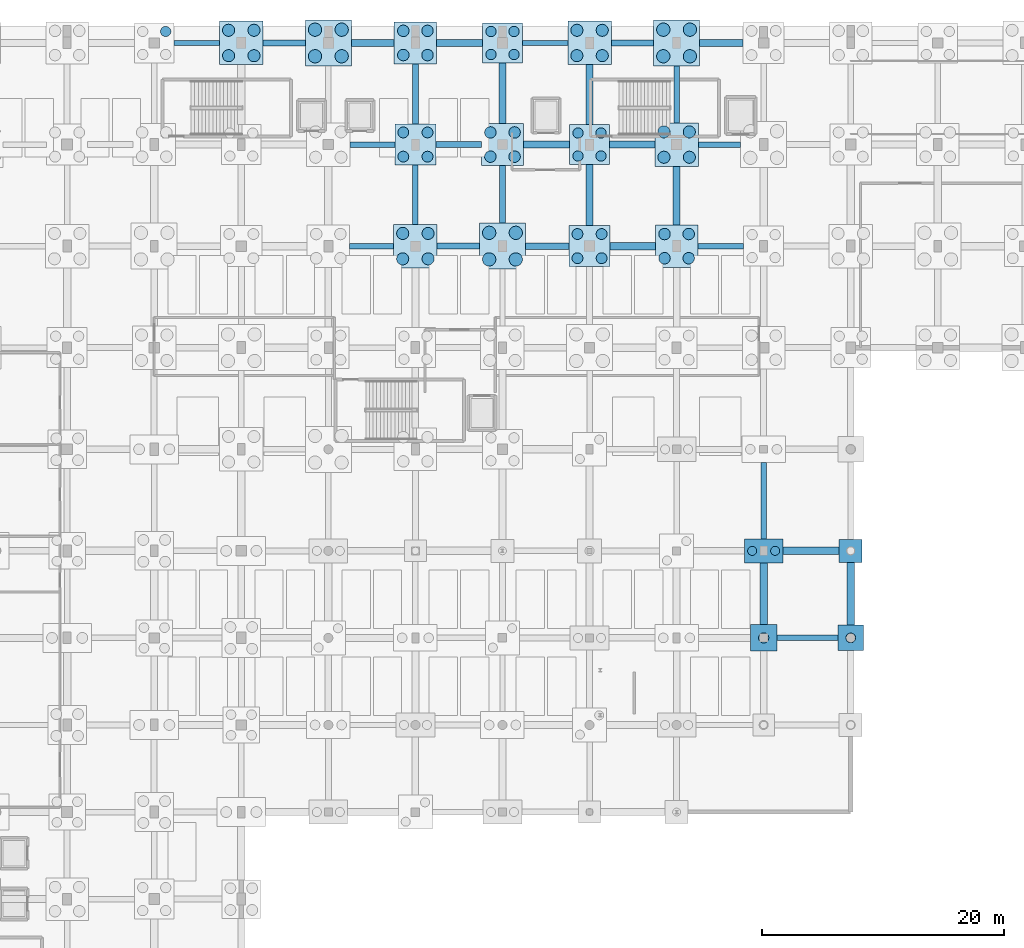
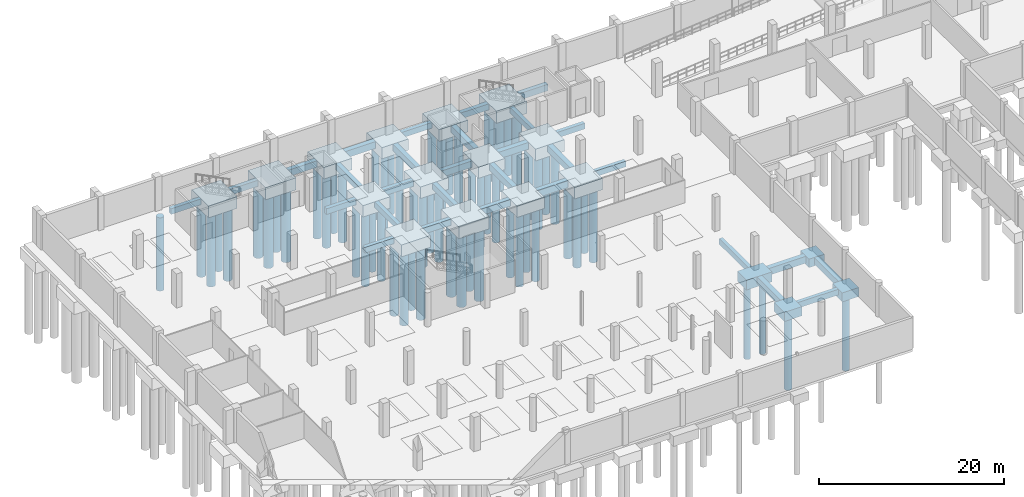
# One storey, part 9 of 35: 61 piles, 48 footings.
"""IFC4 building model written with IfcOpenShell, lengths in metres."""

from ifc_helpers import new_model, si_unit, direction, frame, origin, origin_2d, place, context, subcontext, project, spatial, rectangle, circle, extrude, material, material_profile, profile_set, type_object, element, save


model = new_model("IFC4")

# Units and contexts
model_context = context("Model", 3, precision=1e-05, world=origin(), true_north=direction((0.0, 1.0)))
body_context = subcontext(model_context, "Body", "Model", "MODEL_VIEW")
ifc_project = project(units=[si_unit("LENGTHUNIT", "METRE"), si_unit("AREAUNIT", "SQUARE_METRE"), si_unit("VOLUMEUNIT", "CUBIC_METRE"), si_unit("PLANEANGLEUNIT", "RADIAN"), si_unit("MASSUNIT", "GRAM", prefix="KILO")], contexts=[model_context])

# Site, building, storey
site_placement = place(None, origin())
site = spatial("IfcSite", under=ifc_project, at=site_placement, CompositionType="ELEMENT")
building_placement = place(site_placement, origin())
building = spatial("IfcBuilding", under=site, at=building_placement, Name="Kalluvel Institute of Natural Sciences", CompositionType="ELEMENT")
storey_placement = place(building_placement, frame((0.0, 0.0, -4.5)))
storey = spatial("IfcBuildingStorey", under=building, at=storey_placement, Name="B1", CompositionType="ELEMENT", Elevation=-4.5)

# Footings
ifc_material = material(Name="Concrete M40", Category="concrete")
footing_type_1 = type_object("IfcFootingType", Name="FB-450x750", PredefinedType="FOOTING_BEAM", material=ifc_material)
footing_1_placement = place(storey_placement, frame((82.425048828125, 78.800048828125, -1.199951171875), z_axis=(0.0, 0.0, 1.0), x_axis=(1.0, 0.0, 0.0)))
element("IfcFooting", 1, at=footing_1_placement, inside=storey, type_object=footing_type_1, Name="Foundation tie beam GB-X-088", PredefinedType="FOOTING_BEAM", context=body_context, shape_type="SweptSolid", body=[
    extrude(rectangle(XDim=5.050048828125, YDim=0.449951171875, at=origin_2d()), origin(), (0.0, 0.0, 1.0), 0.75),
])
footing_2_placement = place(storey_placement, frame((46.375, 111.199951171875, -1.199951171875), z_axis=(0.0, 0.0, 1.0), x_axis=(1.0, 0.0, 0.0)))
element("IfcFooting", 2, at=footing_2_placement, inside=storey, type_object=footing_type_1, Name="Foundation tie beam GB-X-140", PredefinedType="FOOTING_BEAM", context=body_context, shape_type="SweptSolid", body=[
    extrude(rectangle(XDim=3.64990234375, YDim=0.449951171875, at=origin_2d()), origin(), (0.0, 0.0, 1.0), 0.75),
])
footing_3_placement = place(storey_placement, frame((75.25, 111.199951171875, -1.199951171875), z_axis=(0.0, 0.0, 1.0), x_axis=(1.0, 0.0, 0.0)))
element("IfcFooting", 3, at=footing_3_placement, inside=storey, type_object=footing_type_1, Name="Foundation tie beam GB-X-144", PredefinedType="FOOTING_BEAM", context=body_context, shape_type="SweptSolid", body=[
    extrude(rectangle(XDim=3.800048828125, YDim=0.449951171875, at=origin_2d()), origin(), (0.0, 0.0, 1.0), 0.75),
])
footing_4_placement = place(storey_placement, frame((46.449951171875, 119.60009765625, -1.199951171875), z_axis=(0.0, 0.0, 1.0), x_axis=(1.0, 0.0, 0.0)))
element("IfcFooting", 4, at=footing_4_placement, inside=storey, type_object=footing_type_1, Name="Foundation tie beam GB-X-164", PredefinedType="FOOTING_BEAM", context=body_context, shape_type="SweptSolid", body=[
    extrude(rectangle(XDim=3.699951171875, YDim=0.449951171875, at=origin_2d()), origin(), (0.0, 0.0, 1.0), 0.75),
])
footing_5_placement = place(storey_placement, frame((75.14990234375, 119.60009765625, -1.199951171875), z_axis=(0.0, 0.0, 1.0), x_axis=(1.0, 0.0, 0.0)))
element("IfcFooting", 5, at=footing_5_placement, inside=storey, type_object=footing_type_1, Name="Foundation tie beam GB-X-168", PredefinedType="FOOTING_BEAM", context=body_context, shape_type="SweptSolid", body=[
    extrude(rectangle(XDim=3.5, YDim=0.449951171875, at=origin_2d()), origin(), (0.0, 0.0, 1.0), 0.75),
])
for number, where, z_axis, x_axis, name in (
    (6, (31.925048828125, 128.0, -1.199951171875), (0.0, 0.0, 1.0), (1.0, 0.0, 0.0), "Foundation tie beam GB-X-184"),
    (7, (60.72509765625, 128.0, -1.199951171875), (0.0, 0.0, 1.0), (1.0, 0.0, 0.0), "Foundation tie beam GB-X-188"),
):
    element("IfcFooting", number, at=place(storey_placement, frame(where, z_axis=z_axis, x_axis=x_axis)), inside=storey, type_object=footing_type_1, Name=name, PredefinedType="FOOTING_BEAM", context=body_context, shape_type="SweptSolid", body=[
        extrude(rectangle(XDim=3.75, YDim=0.449951171875, at=origin_2d()), origin(), (0.0, 0.0, 1.0), 0.75),
    ])
footing_6_placement = place(storey_placement, frame((50.0, 115.449951171875, -1.199951171875), z_axis=(0.0, 0.0, 1.0), x_axis=(1.0, 0.0, 0.0)))
element("IfcFooting", 8, at=footing_6_placement, inside=storey, type_object=footing_type_1, Name="Foundation tie beam GB-Y-272", PredefinedType="FOOTING_BEAM", context=body_context, shape_type="SweptSolid", body=[
    extrude(rectangle(XDim=0.449951171875, YDim=4.89990234375, at=origin_2d()), origin(), (0.0, 0.0, 1.0), 0.75),
])
footing_7_placement = place(storey_placement, frame((71.60009765625, 123.75, -1.199951171875), z_axis=(0.0, 0.0, 1.0), x_axis=(1.0, 0.0, 0.0)))
element("IfcFooting", 9, at=footing_7_placement, inside=storey, type_object=footing_type_1, Name="Foundation tie beam GB-Y-300", PredefinedType="FOOTING_BEAM", context=body_context, shape_type="SweptSolid", body=[
    extrude(rectangle(XDim=0.449951171875, YDim=4.699951171875, at=origin_2d()), origin(), (0.0, 0.0, 1.0), 0.75),
])
footing_8_placement = place(storey_placement, frame((78.800048828125, 90.14990234375, -1.199951171875), z_axis=(0.0, 0.0, 1.0), x_axis=(1.0, 0.0, 0.0)))
element("IfcFooting", 10, at=footing_8_placement, inside=storey, type_object=footing_type_1, Name="Foundation tie beam GB-Y-304", PredefinedType="FOOTING_BEAM", context=body_context, shape_type="SweptSolid", body=[
    extrude(rectangle(XDim=0.449951171875, YDim=6.300048828125, at=origin_2d()), origin(), (0.0, 0.0, 1.0), 0.75),
])
footing_type_2 = type_object("IfcFootingType", Name="FB-500x800", PredefinedType="FOOTING_BEAM", material=ifc_material)
footing_9_placement = place(storey_placement, frame((53.550048828125, 111.199951171875, -1.25), z_axis=(0.0, 0.0, 1.0), x_axis=(1.0, 0.0, 0.0)))
element("IfcFooting", 11, at=footing_9_placement, inside=storey, type_object=footing_type_2, Name="Foundation tie beam GB-X-141", PredefinedType="FOOTING_BEAM", context=body_context, shape_type="SweptSolid", body=[
    extrude(rectangle(XDim=3.5, YDim=0.5, at=origin_2d()), origin(), (0.0, 0.0, 1.0), 0.800048828125),
])
footing_10_placement = place(storey_placement, frame((53.574951171875, 119.60009765625, -1.25), z_axis=(0.0, 0.0, 1.0), x_axis=(1.0, 0.0, 0.0)))
element("IfcFooting", 12, at=footing_10_placement, inside=storey, type_object=footing_type_2, Name="Foundation tie beam GB-X-165", PredefinedType="FOOTING_BEAM", context=body_context, shape_type="SweptSolid", body=[
    extrude(rectangle(XDim=3.75, YDim=0.5, at=origin_2d()), origin(), (0.0, 0.0, 1.0), 0.800048828125),
])
for number, where, z_axis, x_axis, name in (
    (13, (39.14990234375, 128.0, -1.25), (0.0, 0.0, 1.0), (1.0, 0.0, 0.0), "Foundation tie beam GB-X-185"),
    (14, (67.949951171875, 128.0, -1.25), (0.0, 0.0, 1.0), (1.0, 0.0, 0.0), "Foundation tie beam GB-X-189"),
):
    element("IfcFooting", number, at=place(storey_placement, frame(where, z_axis=z_axis, x_axis=x_axis)), inside=storey, type_object=footing_type_2, Name=name, PredefinedType="FOOTING_BEAM", context=body_context, shape_type="SweptSolid", body=[
        extrude(rectangle(XDim=3.5, YDim=0.5, at=origin_2d()), origin(), (0.0, 0.0, 1.0), 0.800048828125),
    ])
footing_11_placement = place(storey_placement, frame((50.0, 123.77490234375, -1.25), z_axis=(0.0, 0.0, 1.0), x_axis=(1.0, 0.0, 0.0)))
element("IfcFooting", 15, at=footing_11_placement, inside=storey, type_object=footing_type_2, Name="Foundation tie beam GB-Y-273", PredefinedType="FOOTING_BEAM", context=body_context, shape_type="SweptSolid", body=[
    extrude(rectangle(XDim=0.5, YDim=4.949951171875, at=origin_2d()), origin(), (0.0, 0.0, 1.0), 0.800048828125),
])
footing_12_placement = place(storey_placement, frame((57.199951171875, 115.47509765625, -1.25), z_axis=(0.0, 0.0, 1.0), x_axis=(1.0, 0.0, 0.0)))
element("IfcFooting", 16, at=footing_12_placement, inside=storey, type_object=footing_type_2, Name="Foundation tie beam GB-Y-281", PredefinedType="FOOTING_BEAM", context=body_context, shape_type="SweptSolid", body=[
    extrude(rectangle(XDim=0.5, YDim=4.75, at=origin_2d()), origin(), (0.0, 0.0, 1.0), 0.800048828125),
])
footing_type_3 = type_object("IfcFootingType", Name="FB-550x850", PredefinedType="FOOTING_BEAM", material=ifc_material)
footing_13_placement = place(storey_placement, frame((60.89990234375, 111.199951171875, -1.300048828125), z_axis=(0.0, 0.0, 1.0), x_axis=(1.0, 0.0, 0.0)))
element("IfcFooting", 17, at=footing_13_placement, inside=storey, type_object=footing_type_3, Name="Foundation tie beam GB-X-142", PredefinedType="FOOTING_BEAM", context=body_context, shape_type="SweptSolid", body=[
    extrude(rectangle(XDim=3.60009765625, YDim=0.550048828125, at=origin_2d()), origin(), (0.0, 0.0, 1.0), 0.85009765625),
])
footing_14_placement = place(storey_placement, frame((60.85009765625, 119.60009765625, -1.300048828125), z_axis=(0.0, 0.0, 1.0), x_axis=(1.0, 0.0, 0.0)))
element("IfcFooting", 18, at=footing_14_placement, inside=storey, type_object=footing_type_3, Name="Foundation tie beam GB-X-166", PredefinedType="FOOTING_BEAM", context=body_context, shape_type="SweptSolid", body=[
    extrude(rectangle(XDim=3.800048828125, YDim=0.550048828125, at=origin_2d()), origin(), (0.0, 0.0, 1.0), 0.85009765625),
])
footing_15_placement = place(storey_placement, frame((46.47509765625, 128.0, -1.300048828125), z_axis=(0.0, 0.0, 1.0), x_axis=(1.0, 0.0, 0.0)))
element("IfcFooting", 19, at=footing_15_placement, inside=storey, type_object=footing_type_3, Name="Foundation tie beam GB-X-186", PredefinedType="FOOTING_BEAM", context=body_context, shape_type="SweptSolid", body=[
    extrude(rectangle(XDim=3.550048828125, YDim=0.550048828125, at=origin_2d()), origin(), (0.0, 0.0, 1.0), 0.85009765625),
])
footing_16_placement = place(storey_placement, frame((75.300048828125, 128.0, -1.300048828125), z_axis=(0.0, 0.0, 1.0), x_axis=(1.0, 0.0, 0.0)))
element("IfcFooting", 20, at=footing_16_placement, inside=storey, type_object=footing_type_3, Name="Foundation tie beam GB-X-190", PredefinedType="FOOTING_BEAM", context=body_context, shape_type="SweptSolid", body=[
    extrude(rectangle(XDim=3.60009765625, YDim=0.550048828125, at=origin_2d()), origin(), (0.0, 0.0, 1.0), 0.85009765625),
])
footing_17_placement = place(storey_placement, frame((57.199951171875, 123.85009765625, -1.300048828125), z_axis=(0.0, 0.0, 1.0), x_axis=(1.0, 0.0, 0.0)))
element("IfcFooting", 21, at=footing_17_placement, inside=storey, type_object=footing_type_3, Name="Foundation tie beam GB-Y-282", PredefinedType="FOOTING_BEAM", context=body_context, shape_type="SweptSolid", body=[
    extrude(rectangle(XDim=0.550048828125, YDim=5.0, at=origin_2d()), origin(), (0.0, 0.0, 1.0), 0.85009765625),
])
footing_18_placement = place(storey_placement, frame((64.39990234375, 115.425048828125, -1.300048828125), z_axis=(0.0, 0.0, 1.0), x_axis=(1.0, 0.0, 0.0)))
element("IfcFooting", 22, at=footing_18_placement, inside=storey, type_object=footing_type_3, Name="Foundation tie beam GB-Y-290", PredefinedType="FOOTING_BEAM", context=body_context, shape_type="SweptSolid", body=[
    extrude(rectangle(XDim=0.550048828125, YDim=5.050048828125, at=origin_2d()), origin(), (0.0, 0.0, 1.0), 0.85009765625),
])
footing_type_4 = type_object("IfcFootingType", Name="FB-600x900", PredefinedType="FOOTING_BEAM", material=ifc_material)
footing_19_placement = place(storey_placement, frame((82.72509765625, 86.0, -1.349853515625), z_axis=(0.0, 0.0, 1.0), x_axis=(1.0, 0.0, 0.0)))
element("IfcFooting", 23, at=footing_19_placement, inside=storey, type_object=footing_type_4, Name="Foundation tie beam GB-X-099", PredefinedType="FOOTING_BEAM", context=body_context, shape_type="SweptSolid", body=[
    extrude(rectangle(XDim=4.64990234375, YDim=0.60009765625, at=origin_2d()), origin(), (0.0, 0.0, 1.0), 0.89990234375),
])
for number, where, z_axis, x_axis, name in (
    (24, (67.97509765625, 111.199951171875, -1.349853515625), (0.0, 0.0, 1.0), (1.0, 0.0, 0.0), "Foundation tie beam GB-X-143"),
    (25, (67.925048828125, 119.60009765625, -1.349853515625), (0.0, 0.0, 1.0), (1.0, 0.0, 0.0), "Foundation tie beam GB-X-167"),
):
    element("IfcFooting", number, at=place(storey_placement, frame(where, z_axis=z_axis, x_axis=x_axis)), inside=storey, type_object=footing_type_4, Name=name, PredefinedType="FOOTING_BEAM", context=body_context, shape_type="SweptSolid", body=[
        extrude(rectangle(XDim=3.75, YDim=0.60009765625, at=origin_2d()), origin(), (0.0, 0.0, 1.0), 0.89990234375),
    ])
footing_20_placement = place(storey_placement, frame((53.64990234375, 128.0, -1.349853515625), z_axis=(0.0, 0.0, 1.0), x_axis=(1.0, 0.0, 0.0)))
element("IfcFooting", 26, at=footing_20_placement, inside=storey, type_object=footing_type_4, Name="Foundation tie beam GB-X-187", PredefinedType="FOOTING_BEAM", context=body_context, shape_type="SweptSolid", body=[
    extrude(rectangle(XDim=3.800048828125, YDim=0.60009765625, at=origin_2d()), origin(), (0.0, 0.0, 1.0), 0.89990234375),
])
footing_21_placement = place(storey_placement, frame((64.39990234375, 123.72509765625, -1.349853515625), z_axis=(0.0, 0.0, 1.0), x_axis=(1.0, 0.0, 0.0)))
element("IfcFooting", 27, at=footing_21_placement, inside=storey, type_object=footing_type_4, Name="Foundation tie beam GB-Y-291", PredefinedType="FOOTING_BEAM", context=body_context, shape_type="SweptSolid", body=[
    extrude(rectangle(XDim=0.60009765625, YDim=4.949951171875, at=origin_2d()), origin(), (0.0, 0.0, 1.0), 0.89990234375),
])
footing_22_placement = place(storey_placement, frame((71.60009765625, 115.375, -1.349853515625), z_axis=(0.0, 0.0, 1.0), x_axis=(1.0, 0.0, 0.0)))
element("IfcFooting", 28, at=footing_22_placement, inside=storey, type_object=footing_type_4, Name="Foundation tie beam GB-Y-299", PredefinedType="FOOTING_BEAM", context=body_context, shape_type="SweptSolid", body=[
    extrude(rectangle(XDim=0.60009765625, YDim=4.85009765625, at=origin_2d()), origin(), (0.0, 0.0, 1.0), 0.89990234375),
])
footing_23_placement = place(storey_placement, frame((78.800048828125, 82.449951171875, -1.349853515625), z_axis=(0.0, 0.0, 1.0), x_axis=(1.0, 0.0, 0.0)))
element("IfcFooting", 29, at=footing_23_placement, inside=storey, type_object=footing_type_4, Name="Foundation tie beam GB-Y-303", PredefinedType="FOOTING_BEAM", context=body_context, shape_type="SweptSolid", body=[
    extrude(rectangle(XDim=0.60009765625, YDim=5.10009765625, at=origin_2d()), origin(), (0.0, 0.0, 1.0), 0.89990234375),
])
footing_24_placement = place(storey_placement, frame((86.0, 82.449951171875, -1.349853515625), z_axis=(0.0, 0.0, 1.0), x_axis=(1.0, 0.0, 0.0)))
element("IfcFooting", 30, at=footing_24_placement, inside=storey, type_object=footing_type_4, Name="Foundation tie beam GB-Y-311", PredefinedType="FOOTING_BEAM", context=body_context, shape_type="SweptSolid", body=[
    extrude(rectangle(XDim=0.60009765625, YDim=5.199951171875, at=origin_2d()), origin(), (0.0, 0.0, 1.0), 0.89990234375),
])
footing_type_5 = type_object("IfcFootingType", Name="PC-1900x1900x1120", PredefinedType="PILE_CAP", material=ifc_material)
footing_25_placement = place(storey_placement, frame((86.0, 86.0, -1.570068359375), z_axis=(0.0, 0.0, 1.0), x_axis=(1.0, 0.0, 0.0)))
element("IfcFooting", 31, at=footing_25_placement, inside=storey, type_object=footing_type_5, Name="Pile cap CAP-134", PredefinedType="PILE_CAP", context=body_context, shape_type="SweptSolid", body=[
    extrude(rectangle(XDim=1.89990234375, YDim=1.89990234375, at=origin_2d()), origin(), (0.0, 0.0, 1.0), 1.1201171875),
])
footing_type_6 = type_object("IfcFootingType", Name="PC-2100x2100x1180", PredefinedType="PILE_CAP", material=ifc_material)
footing_26_placement = place(storey_placement, frame((86.0, 78.800048828125, -1.6298828125), z_axis=(0.0, 0.0, 1.0), x_axis=(1.0, 0.0, 0.0)))
element("IfcFooting", 32, at=footing_26_placement, inside=storey, type_object=footing_type_6, Name="Pile cap CAP-133", PredefinedType="PILE_CAP", context=body_context, shape_type="SweptSolid", body=[
    extrude(rectangle(XDim=2.10009765625, YDim=2.10009765625, at=origin_2d()), origin(), (0.0, 0.0, 1.0), 1.179931640625),
])
footing_type_7 = type_object("IfcFootingType", Name="PC-2200x2200x1200", PredefinedType="PILE_CAP", material=ifc_material)
footing_27_placement = place(storey_placement, frame((78.800048828125, 78.800048828125, -1.64990234375), z_axis=(0.0, 0.0, 1.0), x_axis=(1.0, 0.0, 0.0)))
element("IfcFooting", 33, at=footing_27_placement, inside=storey, type_object=footing_type_7, Name="Pile cap CAP-123", PredefinedType="PILE_CAP", context=body_context, shape_type="SweptSolid", body=[
    extrude(rectangle(XDim=2.199951171875, YDim=2.199951171875, at=origin_2d()), origin(), (0.0, 0.0, 1.0), 1.199951171875),
])
footing_type_8 = type_object("IfcFootingType", Name="PC-3200x2000x1300", PredefinedType="PILE_CAP", material=ifc_material)
footing_28_placement = place(storey_placement, frame((78.800048828125, 86.0, -1.75), z_axis=(0.0, 0.0, 1.0), x_axis=(1.0, 0.0, 0.0)))
element("IfcFooting", 34, at=footing_28_placement, inside=storey, type_object=footing_type_8, Name="Pile cap CAP-124", PredefinedType="PILE_CAP", context=body_context, shape_type="SweptSolid", body=[
    extrude(rectangle(XDim=3.199951171875, YDim=2.0, at=origin_2d()), origin(), (0.0, 0.0, 1.0), 1.300048828125),
])
footing_type_9 = type_object("IfcFootingType", Name="PC-3300x3300x1480", PredefinedType="PILE_CAP", material=ifc_material)
for number, where, z_axis, x_axis, name in (
    (35, (57.199951171875, 128.0, -1.929931640625), (0.0, 0.0, 1.0), (1.0, 0.0, 0.0), "Pile cap CAP-097"),
    (36, (64.39990234375, 119.60009765625, -1.929931640625), (0.0, 0.0, 1.0), (1.0, 0.0, 0.0), "Pile cap CAP-107"),
):
    element("IfcFooting", number, at=place(storey_placement, frame(where, z_axis=z_axis, x_axis=x_axis)), inside=storey, type_object=footing_type_9, Name=name, PredefinedType="PILE_CAP", context=body_context, shape_type="SweptSolid", body=[
        extrude(rectangle(XDim=3.300048828125, YDim=3.300048828125, at=origin_2d()), origin(), (0.0, 0.0, 1.0), 1.47998046875),
    ])
footing_type_10 = type_object("IfcFootingType", Name="PC-3400x3400x1500", PredefinedType="PILE_CAP", material=ifc_material)
for number, where, z_axis, x_axis, name in (
    (37, (50.0, 119.60009765625, -1.949951171875), (0.0, 0.0, 1.0), (1.0, 0.0, 0.0), "Pile cap CAP-085"),
    (38, (64.39990234375, 111.199951171875, -1.949951171875), (0.0, 0.0, 1.0), (1.0, 0.0, 0.0), "Pile cap CAP-106"),
):
    element("IfcFooting", number, at=place(storey_placement, frame(where, z_axis=z_axis, x_axis=x_axis)), inside=storey, type_object=footing_type_10, Name=name, PredefinedType="PILE_CAP", context=body_context, shape_type="SweptSolid", body=[
        extrude(rectangle(XDim=3.39990234375, YDim=3.39990234375, at=origin_2d()), origin(), (0.0, 0.0, 1.0), 1.5),
    ])
footing_type_11 = type_object("IfcFootingType", Name="PC-3500x3500x1520", PredefinedType="PILE_CAP", material=ifc_material)
for number, where, z_axis, x_axis, name in (
    (39, (50.0, 128.0, -1.969970703125), (0.0, 0.0, 1.0), (1.0, 0.0, 0.0), "Pile cap CAP-086"),
    (40, (57.199951171875, 119.60009765625, -1.969970703125), (0.0, 0.0, 1.0), (1.0, 0.0, 0.0), "Pile cap CAP-096"),
    (41, (71.60009765625, 111.199951171875, -1.969970703125), (0.0, 0.0, 1.0), (1.0, 0.0, 0.0), "Pile cap CAP-117"),
):
    element("IfcFooting", number, at=place(storey_placement, frame(where, z_axis=z_axis, x_axis=x_axis)), inside=storey, type_object=footing_type_11, Name=name, PredefinedType="PILE_CAP", context=body_context, shape_type="SweptSolid", body=[
        extrude(rectangle(XDim=3.5, YDim=3.5, at=origin_2d()), origin(), (0.0, 0.0, 1.0), 1.52001953125),
    ])
footing_type_12 = type_object("IfcFootingType", Name="PC-3600x3600x1550", PredefinedType="PILE_CAP", material=ifc_material)
for number, where, z_axis, x_axis, name in (
    (42, (35.60009765625, 128.0, -2.0), (0.0, 0.0, 1.0), (1.0, 0.0, 0.0), "Pile cap CAP-064"),
    (43, (50.0, 111.199951171875, -2.0), (0.0, 0.0, 1.0), (1.0, 0.0, 0.0), "Pile cap CAP-084"),
    (44, (64.39990234375, 128.0, -2.0), (0.0, 0.0, 1.0), (1.0, 0.0, 0.0), "Pile cap CAP-108"),
    (45, (71.60009765625, 119.60009765625, -2.0), (0.0, 0.0, 1.0), (1.0, 0.0, 0.0), "Pile cap CAP-118"),
):
    element("IfcFooting", number, at=place(storey_placement, frame(where, z_axis=z_axis, x_axis=x_axis)), inside=storey, type_object=footing_type_12, Name=name, PredefinedType="PILE_CAP", context=body_context, shape_type="SweptSolid", body=[
        extrude(rectangle(XDim=3.60009765625, YDim=3.60009765625, at=origin_2d()), origin(), (0.0, 0.0, 1.0), 1.550048828125),
    ])
footing_type_13 = type_object("IfcFootingType", Name="PC-3800x3800x1600", PredefinedType="PILE_CAP", material=ifc_material)
for number, where, z_axis, x_axis, name in (
    (46, (42.800048828125, 128.0, -2.050048828125), (0.0, 0.0, 1.0), (1.0, 0.0, 0.0), "Pile cap CAP-075"),
    (47, (57.199951171875, 111.199951171875, -2.050048828125), (0.0, 0.0, 1.0), (1.0, 0.0, 0.0), "Pile cap CAP-095"),
    (48, (71.60009765625, 128.0, -2.050048828125), (0.0, 0.0, 1.0), (1.0, 0.0, 0.0), "Pile cap CAP-119"),
):
    element("IfcFooting", number, at=place(storey_placement, frame(where, z_axis=z_axis, x_axis=x_axis)), inside=storey, type_object=footing_type_13, Name=name, PredefinedType="PILE_CAP", context=body_context, shape_type="SweptSolid", body=[
        extrude(rectangle(XDim=3.800048828125, YDim=3.800048828125, at=origin_2d()), origin(), (0.0, 0.0, 1.0), 1.60009765625),
    ])

# Piles
ifc_material_profile_1 = material_profile(ifc_material, circle(Radius=0.5, at=origin_2d()), Name="PILE D1000")
ifc_profile_set_1 = profile_set([ifc_material_profile_1], Name="Concrete M40")
pile_type_1 = type_object("IfcPileType", Name="PILE-D1000", PredefinedType="BORED", material=ifc_profile_set_1)
for number, where, z_axis, x_axis, name in (
    (49, (34.550048828125, 126.949951171875, -1.8798828125), (0.0, 0.0, -1.0), (1.0, 0.0, 0.0), "Bored rock-socketed pile PILE-X3455-Y12695"),
    (50, (36.64990234375, 126.949951171875, -1.8798828125), (0.0, 0.0, -1.0), (1.0, 0.0, 0.0), "Bored rock-socketed pile PILE-X3665-Y12695"),
    (51, (34.550048828125, 129.050048828125, -1.8798828125), (0.0, 0.0, -1.0), (1.0, 0.0, 0.0), "Bored rock-socketed pile PILE-X3455-Y12905"),
    (52, (36.64990234375, 129.050048828125, -1.8798828125), (0.0, 0.0, -1.0), (1.0, 0.0, 0.0), "Bored rock-socketed pile PILE-X3665-Y12905"),
    (53, (48.949951171875, 110.14990234375, -1.8798828125), (0.0, 0.0, -1.0), (1.0, 0.0, 0.0), "Bored rock-socketed pile PILE-X4895-Y11015"),
    (54, (51.050048828125, 110.14990234375, -1.8798828125), (0.0, 0.0, -1.0), (1.0, 0.0, 0.0), "Bored rock-socketed pile PILE-X5105-Y11015"),
    (55, (48.949951171875, 112.25, -1.8798828125), (0.0, 0.0, -1.0), (1.0, 0.0, 0.0), "Bored rock-socketed pile PILE-X4895-Y11225"),
    (56, (51.050048828125, 112.25, -1.8798828125), (0.0, 0.0, -1.0), (1.0, 0.0, 0.0), "Bored rock-socketed pile PILE-X5105-Y11225"),
    (57, (63.35009765625, 126.949951171875, -1.8798828125), (0.0, 0.0, -1.0), (1.0, 0.0, 0.0), "Bored rock-socketed pile PILE-X6335-Y12695"),
    (58, (65.449951171875, 126.949951171875, -1.8798828125), (0.0, 0.0, -1.0), (1.0, 0.0, 0.0), "Bored rock-socketed pile PILE-X6545-Y12695"),
    (59, (63.35009765625, 129.050048828125, -1.8798828125), (0.0, 0.0, -1.0), (1.0, 0.0, 0.0), "Bored rock-socketed pile PILE-X6335-Y12905"),
    (60, (65.449951171875, 129.050048828125, -1.8798828125), (0.0, 0.0, -1.0), (1.0, 0.0, 0.0), "Bored rock-socketed pile PILE-X6545-Y12905"),
    (61, (70.550048828125, 118.550048828125, -1.8798828125), (0.0, 0.0, -1.0), (1.0, 0.0, 0.0), "Bored rock-socketed pile PILE-X7055-Y11855"),
    (62, (72.64990234375, 118.550048828125, -1.8798828125), (0.0, 0.0, -1.0), (1.0, 0.0, 0.0), "Bored rock-socketed pile PILE-X7265-Y11855"),
    (63, (70.550048828125, 120.64990234375, -1.8798828125), (0.0, 0.0, -1.0), (1.0, 0.0, 0.0), "Bored rock-socketed pile PILE-X7055-Y12065"),
    (64, (72.64990234375, 120.64990234375, -1.8798828125), (0.0, 0.0, -1.0), (1.0, 0.0, 0.0), "Bored rock-socketed pile PILE-X7265-Y12065"),
):
    element("IfcPile", number, at=place(storey_placement, frame(where, z_axis=z_axis, x_axis=x_axis)), inside=storey, type_object=pile_type_1, Name=name, PredefinedType="BORED", context=body_context, shape_type="SweptSolid", body=[
        extrude(circle(Radius=0.5, at=origin_2d()), origin(), (0.0, 0.0, 1.0), 9.6201171875),
    ])
ifc_material_profile_2 = material_profile(ifc_material, circle(Radius=0.550048828125, at=origin_2d()), Name="PILE D1100")
ifc_profile_set_2 = profile_set([ifc_material_profile_2], Name="Concrete M40")
pile_type_2 = type_object("IfcPileType", Name="PILE-D1100", PredefinedType="BORED", material=ifc_profile_set_2)
for number, where, z_axis, x_axis, name in (
    (65, (41.699951171875, 126.89990234375, -1.929931640625), (0.0, 0.0, -1.0), (1.0, 0.0, 0.0), "Bored rock-socketed pile PILE-X4170-Y12690"),
    (66, (43.89990234375, 126.89990234375, -1.929931640625), (0.0, 0.0, -1.0), (1.0, 0.0, 0.0), "Bored rock-socketed pile PILE-X4390-Y12690"),
    (67, (41.699951171875, 129.10009765625, -1.929931640625), (0.0, 0.0, -1.0), (1.0, 0.0, 0.0), "Bored rock-socketed pile PILE-X4170-Y12910"),
    (68, (43.89990234375, 129.10009765625, -1.929931640625), (0.0, 0.0, -1.0), (1.0, 0.0, 0.0), "Bored rock-socketed pile PILE-X4390-Y12910"),
    (69, (56.10009765625, 110.10009765625, -1.929931640625), (0.0, 0.0, -1.0), (1.0, 0.0, 0.0), "Bored rock-socketed pile PILE-X5610-Y11010"),
    (70, (58.300048828125, 110.10009765625, -1.929931640625), (0.0, 0.0, -1.0), (1.0, 0.0, 0.0), "Bored rock-socketed pile PILE-X5830-Y11010"),
    (71, (56.10009765625, 112.300048828125, -1.929931640625), (0.0, 0.0, -1.0), (1.0, 0.0, 0.0), "Bored rock-socketed pile PILE-X5610-Y11230"),
    (72, (58.300048828125, 112.300048828125, -1.929931640625), (0.0, 0.0, -1.0), (1.0, 0.0, 0.0), "Bored rock-socketed pile PILE-X5830-Y11230"),
    (73, (70.5, 126.89990234375, -1.929931640625), (0.0, 0.0, -1.0), (1.0, 0.0, 0.0), "Bored rock-socketed pile PILE-X7050-Y12690"),
    (74, (72.699951171875, 126.89990234375, -1.929931640625), (0.0, 0.0, -1.0), (1.0, 0.0, 0.0), "Bored rock-socketed pile PILE-X7270-Y12690"),
    (75, (70.5, 129.10009765625, -1.929931640625), (0.0, 0.0, -1.0), (1.0, 0.0, 0.0), "Bored rock-socketed pile PILE-X7050-Y12910"),
    (76, (72.699951171875, 129.10009765625, -1.929931640625), (0.0, 0.0, -1.0), (1.0, 0.0, 0.0), "Bored rock-socketed pile PILE-X7270-Y12910"),
):
    element("IfcPile", number, at=place(storey_placement, frame(where, z_axis=z_axis, x_axis=x_axis)), inside=storey, type_object=pile_type_2, Name=name, PredefinedType="BORED", context=body_context, shape_type="SweptSolid", body=[
        extrude(circle(Radius=0.550048828125, at=origin_2d()), origin(), (0.0, 0.0, 1.0), 9.570068359375),
    ])
ifc_material_profile_3 = material_profile(ifc_material, circle(Radius=0.375, at=origin_2d()), Name="PILE D750")
ifc_profile_set_3 = profile_set([ifc_material_profile_3], Name="Concrete M40")
pile_type_3 = type_object("IfcPileType", Name="PILE-D750", PredefinedType="BORED", material=ifc_profile_set_3)
for number, where, z_axis, x_axis, name in (
    (77, (77.85009765625, 86.0, -1.6298828125), (0.0, 0.0, -1.0), (1.0, 0.0, 0.0), "Bored rock-socketed pile PILE-X7785-Y8600"),
    (78, (79.75, 86.0, -1.6298828125), (0.0, 0.0, -1.0), (1.0, 0.0, 0.0), "Bored rock-socketed pile PILE-X7975-Y8600"),
):
    element("IfcPile", number, at=place(storey_placement, frame(where, z_axis=z_axis, x_axis=x_axis)), inside=storey, type_object=pile_type_3, Name=name, PredefinedType="BORED", context=body_context, shape_type="SweptSolid", body=[
        extrude(circle(Radius=0.375, at=origin_2d()), origin(), (0.0, 0.0, 1.0), 9.8701171875),
    ])
ifc_material_profile_4 = material_profile(ifc_material, circle(Radius=0.39990234375, at=origin_2d()), Name="PILE D800")
ifc_profile_set_4 = profile_set([ifc_material_profile_4], Name="Concrete M40")
pile_type_4 = type_object("IfcPileType", Name="PILE-D800", PredefinedType="BORED", material=ifc_profile_set_4)
pile_1_placement = place(storey_placement, frame((86.0, 78.800048828125, -1.510009765625), z_axis=(0.0, 0.0, -1.0), x_axis=(1.0, 0.0, 0.0)))
element("IfcPile", 79, at=pile_1_placement, inside=storey, type_object=pile_type_4, Name="Bored rock-socketed pile PILE-X8600-Y7880", PredefinedType="BORED", context=body_context, shape_type="SweptSolid", body=[
    extrude(circle(Radius=0.39990234375, at=origin_2d()), origin(), (0.0, 0.0, 1.0), 9.989990234375),
])
ifc_material_profile_5 = material_profile(ifc_material, circle(Radius=0.425048828125, at=origin_2d()), Name="PILE D850")
ifc_profile_set_5 = profile_set([ifc_material_profile_5], Name="Concrete M40")
pile_type_5 = type_object("IfcPileType", Name="PILE-D850", PredefinedType="BORED", material=ifc_profile_set_5)
for number, where, z_axis, x_axis, name in (
    (80, (29.35009765625, 128.949951171875, -1.81005859375), (0.0, 0.0, -1.0), (1.0, 0.0, 0.0), "Bored rock-socketed pile PILE-X2935-Y12895"),
    (81, (56.25, 127.050048828125, -1.81005859375), (0.0, 0.0, -1.0), (1.0, 0.0, 0.0), "Bored rock-socketed pile PILE-X5625-Y12705"),
    (82, (58.14990234375, 127.050048828125, -1.81005859375), (0.0, 0.0, -1.0), (1.0, 0.0, 0.0), "Bored rock-socketed pile PILE-X5815-Y12705"),
    (83, (56.25, 128.949951171875, -1.81005859375), (0.0, 0.0, -1.0), (1.0, 0.0, 0.0), "Bored rock-socketed pile PILE-X5625-Y12895"),
    (84, (58.14990234375, 128.949951171875, -1.81005859375), (0.0, 0.0, -1.0), (1.0, 0.0, 0.0), "Bored rock-socketed pile PILE-X5815-Y12895"),
    (85, (63.449951171875, 118.64990234375, -1.81005859375), (0.0, 0.0, -1.0), (1.0, 0.0, 0.0), "Bored rock-socketed pile PILE-X6345-Y11865"),
    (86, (65.35009765625, 118.64990234375, -1.81005859375), (0.0, 0.0, -1.0), (1.0, 0.0, 0.0), "Bored rock-socketed pile PILE-X6535-Y11865"),
    (87, (63.449951171875, 120.550048828125, -1.81005859375), (0.0, 0.0, -1.0), (1.0, 0.0, 0.0), "Bored rock-socketed pile PILE-X6345-Y12055"),
    (88, (65.35009765625, 120.550048828125, -1.81005859375), (0.0, 0.0, -1.0), (1.0, 0.0, 0.0), "Bored rock-socketed pile PILE-X6535-Y12055"),
):
    element("IfcPile", number, at=place(storey_placement, frame(where, z_axis=z_axis, x_axis=x_axis)), inside=storey, type_object=pile_type_5, Name=name, PredefinedType="BORED", context=body_context, shape_type="SweptSolid", body=[
        extrude(circle(Radius=0.425048828125, at=origin_2d()), origin(), (0.0, 0.0, 1.0), 9.68994140625),
    ])
pile_2_placement = place(storey_placement, frame((78.800048828125, 78.800048828125, -1.530029296875), z_axis=(0.0, 0.0, -1.0), x_axis=(1.0, 0.0, 0.0)))
element("IfcPile", 89, at=pile_2_placement, inside=storey, type_object=pile_type_5, Name="Bored rock-socketed pile PILE-X7880-Y7880", PredefinedType="BORED", context=body_context, shape_type="SweptSolid", body=[
    extrude(circle(Radius=0.425048828125, at=origin_2d()), origin(), (0.0, 0.0, 1.0), 9.969970703125),
])
ifc_material_profile_6 = material_profile(ifc_material, circle(Radius=0.449951171875, at=origin_2d()), Name="PILE D900")
ifc_profile_set_6 = profile_set([ifc_material_profile_6], Name="Concrete M40")
pile_type_6 = type_object("IfcPileType", Name="PILE-D900", PredefinedType="BORED", material=ifc_profile_set_6)
for number, where, z_axis, x_axis, name in (
    (90, (49.0, 118.60009765625, -1.830078125), (0.0, 0.0, -1.0), (1.0, 0.0, 0.0), "Bored rock-socketed pile PILE-X4900-Y11860"),
    (91, (51.0, 118.60009765625, -1.830078125), (0.0, 0.0, -1.0), (1.0, 0.0, 0.0), "Bored rock-socketed pile PILE-X5100-Y11860"),
    (92, (49.0, 120.60009765625, -1.830078125), (0.0, 0.0, -1.0), (1.0, 0.0, 0.0), "Bored rock-socketed pile PILE-X4900-Y12060"),
    (93, (51.0, 120.60009765625, -1.830078125), (0.0, 0.0, -1.0), (1.0, 0.0, 0.0), "Bored rock-socketed pile PILE-X5100-Y12060"),
    (94, (63.39990234375, 110.199951171875, -1.830078125), (0.0, 0.0, -1.0), (1.0, 0.0, 0.0), "Bored rock-socketed pile PILE-X6340-Y11020"),
    (95, (65.39990234375, 110.199951171875, -1.830078125), (0.0, 0.0, -1.0), (1.0, 0.0, 0.0), "Bored rock-socketed pile PILE-X6540-Y11020"),
    (96, (63.39990234375, 112.199951171875, -1.830078125), (0.0, 0.0, -1.0), (1.0, 0.0, 0.0), "Bored rock-socketed pile PILE-X6340-Y11220"),
    (97, (65.39990234375, 112.199951171875, -1.830078125), (0.0, 0.0, -1.0), (1.0, 0.0, 0.0), "Bored rock-socketed pile PILE-X6540-Y11220"),
):
    element("IfcPile", number, at=place(storey_placement, frame(where, z_axis=z_axis, x_axis=x_axis)), inside=storey, type_object=pile_type_6, Name=name, PredefinedType="BORED", context=body_context, shape_type="SweptSolid", body=[
        extrude(circle(Radius=0.449951171875, at=origin_2d()), origin(), (0.0, 0.0, 1.0), 9.669921875),
    ])
ifc_material_profile_7 = material_profile(ifc_material, circle(Radius=0.47509765625, at=origin_2d()), Name="PILE D950")
ifc_profile_set_7 = profile_set([ifc_material_profile_7], Name="Concrete M40")
pile_type_7 = type_object("IfcPileType", Name="PILE-D950", PredefinedType="BORED", material=ifc_profile_set_7)
for number, where, z_axis, x_axis, name in (
    (98, (49.0, 127.0, -1.85009765625), (0.0, 0.0, -1.0), (1.0, 0.0, 0.0), "Bored rock-socketed pile PILE-X4900-Y12700"),
    (99, (51.0, 127.0, -1.85009765625), (0.0, 0.0, -1.0), (1.0, 0.0, 0.0), "Bored rock-socketed pile PILE-X5100-Y12700"),
    (100, (49.0, 129.0, -1.85009765625), (0.0, 0.0, -1.0), (1.0, 0.0, 0.0), "Bored rock-socketed pile PILE-X4900-Y12900"),
    (101, (51.0, 129.0, -1.85009765625), (0.0, 0.0, -1.0), (1.0, 0.0, 0.0), "Bored rock-socketed pile PILE-X5100-Y12900"),
    (102, (56.199951171875, 118.60009765625, -1.85009765625), (0.0, 0.0, -1.0), (1.0, 0.0, 0.0), "Bored rock-socketed pile PILE-X5620-Y11860"),
    (103, (58.199951171875, 118.60009765625, -1.85009765625), (0.0, 0.0, -1.0), (1.0, 0.0, 0.0), "Bored rock-socketed pile PILE-X5820-Y11860"),
    (104, (56.199951171875, 120.60009765625, -1.85009765625), (0.0, 0.0, -1.0), (1.0, 0.0, 0.0), "Bored rock-socketed pile PILE-X5620-Y12060"),
    (105, (58.199951171875, 120.60009765625, -1.85009765625), (0.0, 0.0, -1.0), (1.0, 0.0, 0.0), "Bored rock-socketed pile PILE-X5820-Y12060"),
    (106, (70.60009765625, 110.199951171875, -1.85009765625), (0.0, 0.0, -1.0), (1.0, 0.0, 0.0), "Bored rock-socketed pile PILE-X7060-Y11020"),
    (107, (72.60009765625, 110.199951171875, -1.85009765625), (0.0, 0.0, -1.0), (1.0, 0.0, 0.0), "Bored rock-socketed pile PILE-X7260-Y11020"),
    (108, (70.60009765625, 112.199951171875, -1.85009765625), (0.0, 0.0, -1.0), (1.0, 0.0, 0.0), "Bored rock-socketed pile PILE-X7060-Y11220"),
    (109, (72.60009765625, 112.199951171875, -1.85009765625), (0.0, 0.0, -1.0), (1.0, 0.0, 0.0), "Bored rock-socketed pile PILE-X7260-Y11220"),
):
    element("IfcPile", number, at=place(storey_placement, frame(where, z_axis=z_axis, x_axis=x_axis)), inside=storey, type_object=pile_type_7, Name=name, PredefinedType="BORED", context=body_context, shape_type="SweptSolid", body=[
        extrude(circle(Radius=0.47509765625, at=origin_2d()), origin(), (0.0, 0.0, 1.0), 9.64990234375),
    ])

save(model, "model.ifc")
